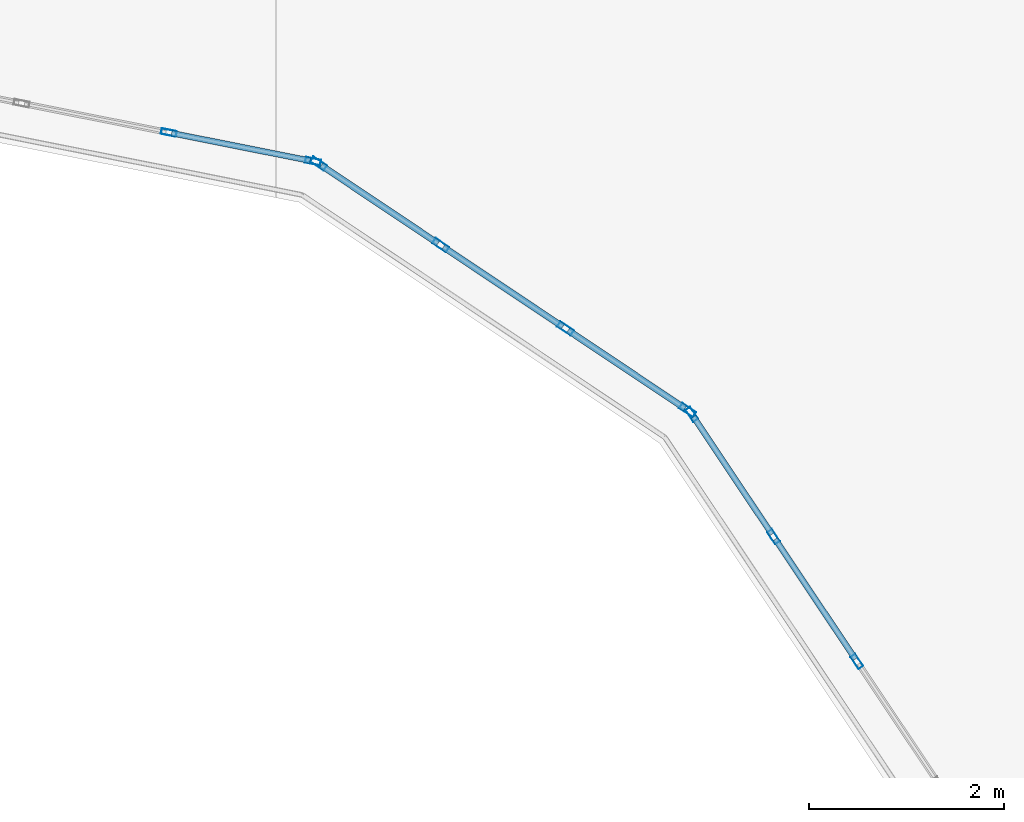
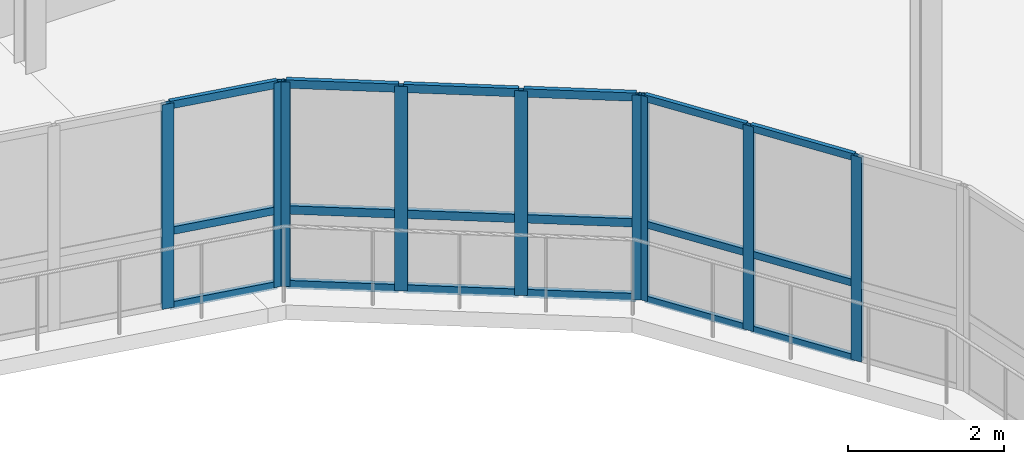
# One storey, part 24 of 91: 27 members, 3 elements without a shape of their own.
"""IFC4 building model written with IfcOpenShell, lengths in metres."""

from ifc_helpers import new_model, si_unit, direction, frame, origin, origin_2d, place, context, subcontext, project, spatial, hollow_rectangle, extrude, material, layer, layer_set, material_profile, profile_set, type_object, element, aggregate, save


model = new_model("IFC4")

# Units and contexts
model_context = context("Model", 3, precision=1e-05, world=origin(), true_north=direction((0.0, 1.0)))
body_context = subcontext(model_context, "Body", "Model", "MODEL_VIEW")
ifc_project = project(units=[si_unit("LENGTHUNIT", "METRE"), si_unit("AREAUNIT", "SQUARE_METRE"), si_unit("VOLUMEUNIT", "CUBIC_METRE"), si_unit("PLANEANGLEUNIT", "RADIAN"), si_unit("MASSUNIT", "GRAM", prefix="KILO"), si_unit("THERMODYNAMICTEMPERATUREUNIT", "KELVIN")], contexts=[model_context])

# Site, building, storey
site_placement = place(None, origin())
site = spatial("IfcSite", under=ifc_project, at=site_placement, CompositionType="ELEMENT")
building_placement = place(site_placement, origin())
building = spatial("IfcBuilding", under=site, at=building_placement, Name="Lustrewick Department Store", CompositionType="ELEMENT")
storey_placement = place(building_placement, frame((0.0, 0.0, 21.60009765625)))
storey = spatial("IfcBuildingStorey", under=building, at=storey_placement, Name="L05", CompositionType="ELEMENT", Elevation=21.60009765625)

# Curtain wall, members
ifc_material = material(Name="Thermally broken aluminium 6063-T5", Category="aluminium")
ifc_layer_1 = layer(ifc_material, 0.169921875, Name="Thermally broken aluminium 6063-T5")
ifc_layer_set_1 = layer_set([ifc_layer_1], Name="Thermally broken aluminium 6063-T5")
curtain_wall_type_1 = type_object("IfcCurtainWallType", Name="CW16", PredefinedType="NOTDEFINED", material=ifc_layer_set_1)
curtain_wall_1_placement = place(storey_placement, origin())
curtain_wall_1 = element("IfcCurtainWall", 1, at=curtain_wall_1_placement, inside=storey, type_object=curtain_wall_type_1, Name="L05 Atrium Glazed Screen CW16", PredefinedType="NOTDEFINED")
ifc_material_profile_1 = material_profile(ifc_material, hollow_rectangle(XDim=0.06494140625, YDim=0.169921875, WallThickness=0.00390625, at=origin_2d()), Name="ALU-M 65x170x4")
ifc_profile_set_1 = profile_set([ifc_material_profile_1], Name="Thermally broken aluminium 6063-T5")
member_type_1 = type_object("IfcMemberType", Name="CW16-M1", PredefinedType="MULLION", material=ifc_profile_set_1)
member_1_placement = place(storey_placement, frame((37.752197265625, 75.59716796875, 0.0), z_axis=(0.0, 0.0, 1.0), x_axis=(-0.555578313862, -0.831464212799, 0.0)))
member_1 = element("IfcMember", 2, at=member_1_placement, type_object=member_type_1, Name="CW16 mullion 1", PredefinedType="MULLION", context=body_context, shape_type="SweptSolid", body=[
    extrude(hollow_rectangle(XDim=0.06494140625, YDim=0.169921875, WallThickness=0.00390625, at=origin_2d()), origin(), (0.0, 0.0, 1.0), 3.199951171875),
])
member_2_placement = place(storey_placement, frame((36.497802734375, 76.435546875, 0.0), z_axis=(0.0, 0.0, 1.0), x_axis=(-0.555578313862, -0.831464212799, 0.0)))
member_2 = element("IfcMember", 3, at=member_2_placement, type_object=member_type_1, Name="CW16 mullion 2", PredefinedType="MULLION", context=body_context, shape_type="SweptSolid", body=[
    extrude(hollow_rectangle(XDim=0.06494140625, YDim=0.169921875, WallThickness=0.00390625, at=origin_2d()), origin(), (0.0, 0.0, 1.0), 3.199951171875),
])
member_3_placement = place(storey_placement, frame((35.21630859375, 77.291748046875, 0.0), z_axis=(0.0, 0.0, 1.0), x_axis=(-0.555578313862, -0.831464212799, 0.0)))
member_3 = element("IfcMember", 4, at=member_3_placement, type_object=member_type_1, Name="CW16 mullion 3", PredefinedType="MULLION", context=body_context, shape_type="SweptSolid", body=[
    extrude(hollow_rectangle(XDim=0.06494140625, YDim=0.169921875, WallThickness=0.00390625, at=origin_2d()), origin(), (0.0, 0.0, 1.0), 3.199951171875),
])
member_4_placement = place(storey_placement, frame((33.9619140625, 78.1298828125, 0.0), z_axis=(0.0, 0.0, 1.0), x_axis=(-0.555578313862, -0.831464212799, 0.0)))
member_4 = element("IfcMember", 5, at=member_4_placement, type_object=member_type_1, Name="CW16 mullion 4", PredefinedType="MULLION", context=body_context, shape_type="SweptSolid", body=[
    extrude(hollow_rectangle(XDim=0.06494140625, YDim=0.169921875, WallThickness=0.00390625, at=origin_2d()), origin(), (0.0, 0.0, 1.0), 3.199951171875),
])
ifc_material_profile_2 = material_profile(ifc_material, hollow_rectangle(XDim=0.06494140625, YDim=0.1298828125, WallThickness=0.00341796875, at=origin_2d()), Name="ALU-T 65x130x3.5")
ifc_profile_set_2 = profile_set([ifc_material_profile_2], Name="Thermally broken aluminium 6063-T5")
member_type_2 = type_object("IfcMemberType", Name="CW16-T1", PredefinedType="USERDEFINED", material=ifc_profile_set_2)
member_5_placement = place(storey_placement, frame((37.72509765625, 75.615234375, 0.032470703125), z_axis=(-0.831425427556, 0.555636354474, 0.0), x_axis=(-0.555636354474, -0.831425427556, 0.0)))
member_5 = element("IfcMember", 6, at=member_5_placement, type_object=member_type_2, Name="CW16 transom 1.1", ObjectType="TRANSOM", PredefinedType="USERDEFINED", context=body_context, shape_type="SweptSolid", body=[
    extrude(hollow_rectangle(XDim=0.06494140625, YDim=0.1298828125, WallThickness=0.00341796875, at=origin_2d()), origin(), (0.0, 0.0, 1.0), 1.44384765625),
])
member_6_placement = place(storey_placement, frame((37.72509765625, 75.615234375, 1.199951171875), z_axis=(-0.831425427556, 0.555636354474, 0.0), x_axis=(-0.555636354474, -0.831425427556, 0.0)))
member_6 = element("IfcMember", 7, at=member_6_placement, type_object=member_type_2, Name="CW16 transom 1.2", ObjectType="TRANSOM", PredefinedType="USERDEFINED", context=body_context, shape_type="SweptSolid", body=[
    extrude(hollow_rectangle(XDim=0.06494140625, YDim=0.1298828125, WallThickness=0.00341796875, at=origin_2d()), origin(), (0.0, 0.0, 1.0), 1.44384765625),
])
member_7_placement = place(storey_placement, frame((37.72509765625, 75.615234375, 3.16748046875), z_axis=(-0.831425427556, 0.555636354474, 0.0), x_axis=(-0.555636354474, -0.831425427556, 0.0)))
member_7 = element("IfcMember", 8, at=member_7_placement, type_object=member_type_2, Name="CW16 transom 1.3", ObjectType="TRANSOM", PredefinedType="USERDEFINED", context=body_context, shape_type="SweptSolid", body=[
    extrude(hollow_rectangle(XDim=0.06494140625, YDim=0.1298828125, WallThickness=0.00341796875, at=origin_2d()), origin(), (0.0, 0.0, 1.0), 1.44384765625),
])
member_8_placement = place(storey_placement, frame((36.470703125, 76.45361328125, 0.032470703125), z_axis=(-0.831464570536, 0.555577778482, 0.0), x_axis=(-0.555577778482, -0.831464570536, 0.0)))
member_8 = element("IfcMember", 9, at=member_8_placement, type_object=member_type_2, Name="CW16 transom 2.1", ObjectType="TRANSOM", PredefinedType="USERDEFINED", context=body_context, shape_type="SweptSolid", body=[
    extrude(hollow_rectangle(XDim=0.06494140625, YDim=0.1298828125, WallThickness=0.00341796875, at=origin_2d()), origin(), (0.0, 0.0, 1.0), 1.47607421875),
])
member_9_placement = place(storey_placement, frame((36.470703125, 76.45361328125, 1.199951171875), z_axis=(-0.831464570536, 0.555577778482, 0.0), x_axis=(-0.555577778482, -0.831464570536, 0.0)))
member_9 = element("IfcMember", 10, at=member_9_placement, type_object=member_type_2, Name="CW16 transom 2.2", ObjectType="TRANSOM", PredefinedType="USERDEFINED", context=body_context, shape_type="SweptSolid", body=[
    extrude(hollow_rectangle(XDim=0.06494140625, YDim=0.1298828125, WallThickness=0.00341796875, at=origin_2d()), origin(), (0.0, 0.0, 1.0), 1.47607421875),
])
member_10_placement = place(storey_placement, frame((36.470703125, 76.45361328125, 3.16748046875), z_axis=(-0.831464570536, 0.555577778482, 0.0), x_axis=(-0.555577778482, -0.831464570536, 0.0)))
member_10 = element("IfcMember", 11, at=member_10_placement, type_object=member_type_2, Name="CW16 transom 2.3", ObjectType="TRANSOM", PredefinedType="USERDEFINED", context=body_context, shape_type="SweptSolid", body=[
    extrude(hollow_rectangle(XDim=0.06494140625, YDim=0.1298828125, WallThickness=0.00341796875, at=origin_2d()), origin(), (0.0, 0.0, 1.0), 1.47607421875),
])
member_11_placement = place(storey_placement, frame((35.189208984375, 77.309814453125, 0.032470703125), z_axis=(-0.831503542147, 0.555519450062, 0.0), x_axis=(-0.555519450062, -0.831503542147, 0.0)))
member_11 = element("IfcMember", 12, at=member_11_placement, type_object=member_type_2, Name="CW16 transom 3.1", ObjectType="TRANSOM", PredefinedType="USERDEFINED", context=body_context, shape_type="SweptSolid", body=[
    extrude(hollow_rectangle(XDim=0.06494140625, YDim=0.1298828125, WallThickness=0.00341796875, at=origin_2d()), origin(), (0.0, 0.0, 1.0), 1.443603515625),
])
member_12_placement = place(storey_placement, frame((35.189208984375, 77.309814453125, 1.199951171875), z_axis=(-0.831503542147, 0.555519450062, 0.0), x_axis=(-0.555519450062, -0.831503542147, 0.0)))
member_12 = element("IfcMember", 13, at=member_12_placement, type_object=member_type_2, Name="CW16 transom 3.2", ObjectType="TRANSOM", PredefinedType="USERDEFINED", context=body_context, shape_type="SweptSolid", body=[
    extrude(hollow_rectangle(XDim=0.06494140625, YDim=0.1298828125, WallThickness=0.00341796875, at=origin_2d()), origin(), (0.0, 0.0, 1.0), 1.443603515625),
])
member_13_placement = place(storey_placement, frame((35.189208984375, 77.309814453125, 3.16748046875), z_axis=(-0.831503542147, 0.555519450062, 0.0), x_axis=(-0.555519450062, -0.831503542147, 0.0)))
member_13 = element("IfcMember", 14, at=member_13_placement, type_object=member_type_2, Name="CW16 transom 3.3", ObjectType="TRANSOM", PredefinedType="USERDEFINED", context=body_context, shape_type="SweptSolid", body=[
    extrude(hollow_rectangle(XDim=0.06494140625, YDim=0.1298828125, WallThickness=0.00341796875, at=origin_2d()), origin(), (0.0, 0.0, 1.0), 1.443603515625),
])
aggregate(curtain_wall_1, [member_1, member_2, member_3, member_4, member_5, member_6, member_7, member_8, member_9, member_10, member_11, member_12, member_13])

ifc_layer_2 = layer(ifc_material, 0.159912109375, Name="Thermally broken aluminium 6063-T5")
ifc_layer_set_2 = layer_set([ifc_layer_2], Name="Thermally broken aluminium 6063-T5")
curtain_wall_type_2 = type_object("IfcCurtainWallType", Name="CW17", PredefinedType="NOTDEFINED", material=ifc_layer_set_2)
curtain_wall_2_placement = place(storey_placement, origin())
curtain_wall_2 = element("IfcCurtainWall", 15, at=curtain_wall_2_placement, inside=storey, type_object=curtain_wall_type_2, Name="L05 Atrium Glazed Screen CW17", PredefinedType="NOTDEFINED")
ifc_material_profile_3 = material_profile(ifc_material, hollow_rectangle(XDim=0.06005859375, YDim=0.159912109375, WallThickness=0.00390625, at=origin_2d()), Name="ALU-M 60x160x4")
ifc_profile_set_3 = profile_set([ifc_material_profile_3], Name="Thermally broken aluminium 6063-T5")
member_type_3 = type_object("IfcMemberType", Name="CW17-M1", PredefinedType="MULLION", material=ifc_profile_set_3)
member_14_placement = place(storey_placement, frame((33.9052734375, 78.15380859375, 0.0), z_axis=(0.0, 0.0, 1.0), x_axis=(-0.195084537521, -0.980786430993, 0.0)))
member_14 = element("IfcMember", 16, at=member_14_placement, type_object=member_type_3, Name="CW17 mullion 1", PredefinedType="MULLION", context=body_context, shape_type="SweptSolid", body=[
    extrude(hollow_rectangle(XDim=0.06005859375, YDim=0.159912109375, WallThickness=0.00390625, at=origin_2d()), origin(), (0.0, 0.0, 1.0), 3.199951171875),
])
member_15_placement = place(storey_placement, frame((32.423095703125, 78.44873046875, 0.0), z_axis=(0.0, 0.0, 1.0), x_axis=(-0.195084537521, -0.980786430993, 0.0)))
member_15 = element("IfcMember", 17, at=member_15_placement, type_object=member_type_3, Name="CW17 mullion 2", PredefinedType="MULLION", context=body_context, shape_type="SweptSolid", body=[
    extrude(hollow_rectangle(XDim=0.06005859375, YDim=0.159912109375, WallThickness=0.00390625, at=origin_2d()), origin(), (0.0, 0.0, 1.0), 3.199951171875),
])
ifc_material_profile_4 = material_profile(ifc_material, hollow_rectangle(XDim=0.06005859375, YDim=0.1201171875, WallThickness=0.00341796875, at=origin_2d()), Name="ALU-T 60x120x3.5")
ifc_profile_set_4 = profile_set([ifc_material_profile_4], Name="Thermally broken aluminium 6063-T5")
member_type_4 = type_object("IfcMemberType", Name="CW17-T1", PredefinedType="USERDEFINED", material=ifc_profile_set_4)
member_16_placement = place(storey_placement, frame((33.8759765625, 78.15966796875, 0.02978515625), z_axis=(-0.980774305612, 0.195145487909, 0.0), x_axis=(-0.195145487909, -0.980774305612, 0.0)))
member_16 = element("IfcMember", 18, at=member_16_placement, type_object=member_type_4, Name="CW17 transom 1.1", ObjectType="TRANSOM", PredefinedType="USERDEFINED", context=body_context, shape_type="SweptSolid", body=[
    extrude(hollow_rectangle(XDim=0.06005859375, YDim=0.1201171875, WallThickness=0.00341796875, at=origin_2d()), origin(), (0.0, 0.0, 1.0), 1.451171875),
])
member_17_placement = place(storey_placement, frame((33.8759765625, 78.15966796875, 1.199951171875), z_axis=(-0.980774305612, 0.195145487909, 0.0), x_axis=(-0.195145487909, -0.980774305612, 0.0)))
member_17 = element("IfcMember", 19, at=member_17_placement, type_object=member_type_4, Name="CW17 transom 1.2", ObjectType="TRANSOM", PredefinedType="USERDEFINED", context=body_context, shape_type="SweptSolid", body=[
    extrude(hollow_rectangle(XDim=0.06005859375, YDim=0.1201171875, WallThickness=0.00341796875, at=origin_2d()), origin(), (0.0, 0.0, 1.0), 1.451171875),
])
member_18_placement = place(storey_placement, frame((33.8759765625, 78.15966796875, 3.169921875), z_axis=(-0.980774305612, 0.195145487909, 0.0), x_axis=(-0.195145487909, -0.980774305612, 0.0)))
member_18 = element("IfcMember", 20, at=member_18_placement, type_object=member_type_4, Name="CW17 transom 1.3", ObjectType="TRANSOM", PredefinedType="USERDEFINED", context=body_context, shape_type="SweptSolid", body=[
    extrude(hollow_rectangle(XDim=0.06005859375, YDim=0.1201171875, WallThickness=0.00341796875, at=origin_2d()), origin(), (0.0, 0.0, 1.0), 1.451171875),
])
aggregate(curtain_wall_2, [member_14, member_15, member_16, member_17, member_18])

ifc_layer_3 = layer(ifc_material, 0.14990234375, Name="Thermally broken aluminium 6063-T5")
ifc_layer_set_3 = layer_set([ifc_layer_3], Name="Thermally broken aluminium 6063-T5")
curtain_wall_type_3 = type_object("IfcCurtainWallType", Name="CW18", PredefinedType="NOTDEFINED", material=ifc_layer_set_3)
curtain_wall_3_placement = place(storey_placement, origin())
curtain_wall_3 = element("IfcCurtainWall", 21, at=curtain_wall_3_placement, inside=storey, type_object=curtain_wall_type_3, Name="L05 Atrium Glazed Screen CW18", PredefinedType="NOTDEFINED")
ifc_material_profile_5 = material_profile(ifc_material, hollow_rectangle(XDim=0.06005859375, YDim=0.14990234375, WallThickness=0.00341796875, at=origin_2d()), Name="ALU-M 60x150x3.5")
ifc_profile_set_5 = profile_set([ifc_material_profile_5], Name="Thermally broken aluminium 6063-T5")
member_type_5 = type_object("IfcMemberType", Name="CW18-M1", PredefinedType="MULLION", material=ifc_profile_set_5)
member_19_placement = place(storey_placement, frame((39.49169921875, 73.016357421875, 0.0), z_axis=(0.0, 0.0, 1.0), x_axis=(-0.831464212799, -0.555578313862, 0.0)))
member_19 = element("IfcMember", 22, at=member_19_placement, type_object=member_type_5, Name="CW18 mullion 2", PredefinedType="MULLION", context=body_context, shape_type="SweptSolid", body=[
    extrude(hollow_rectangle(XDim=0.06005859375, YDim=0.14990234375, WallThickness=0.00341796875, at=origin_2d()), origin(), (0.0, 0.0, 1.0), 3.199951171875),
])
member_20_placement = place(storey_placement, frame((38.635498046875, 74.2978515625, 0.0), z_axis=(0.0, 0.0, 1.0), x_axis=(-0.831464212799, -0.555578313862, 0.0)))
member_20 = element("IfcMember", 23, at=member_20_placement, type_object=member_type_5, Name="CW18 mullion 3", PredefinedType="MULLION", context=body_context, shape_type="SweptSolid", body=[
    extrude(hollow_rectangle(XDim=0.06005859375, YDim=0.14990234375, WallThickness=0.00341796875, at=origin_2d()), origin(), (0.0, 0.0, 1.0), 3.199951171875),
])
member_21_placement = place(storey_placement, frame((37.7958984375, 75.55419921875, 0.0), z_axis=(0.0, 0.0, 1.0), x_axis=(-0.831464212799, -0.555578313862, 0.0)))
member_21 = element("IfcMember", 24, at=member_21_placement, type_object=member_type_5, Name="CW18 mullion 4", PredefinedType="MULLION", context=body_context, shape_type="SweptSolid", body=[
    extrude(hollow_rectangle(XDim=0.06005859375, YDim=0.14990234375, WallThickness=0.00341796875, at=origin_2d()), origin(), (0.0, 0.0, 1.0), 3.199951171875),
])
ifc_material_profile_6 = material_profile(ifc_material, hollow_rectangle(XDim=0.06005859375, YDim=0.110107421875, WallThickness=0.0029296875, at=origin_2d()), Name="ALU-T 60x110x3")
ifc_profile_set_6 = profile_set([ifc_material_profile_6], Name="Thermally broken aluminium 6063-T5")
member_type_6 = type_object("IfcMemberType", Name="CW18-T1", PredefinedType="USERDEFINED", material=ifc_profile_set_6)
member_22_placement = place(storey_placement, frame((39.47509765625, 73.041259765625, 0.02978515625), z_axis=(-0.555650791413, 0.83141577926, 0.0), x_axis=(-0.83141577926, -0.555650791413, 0.0)))
member_22 = element("IfcMember", 25, at=member_22_placement, type_object=member_type_6, Name="CW18 transom 2.1", ObjectType="TRANSOM", PredefinedType="USERDEFINED", context=body_context, shape_type="SweptSolid", body=[
    extrude(hollow_rectangle(XDim=0.06005859375, YDim=0.110107421875, WallThickness=0.0029296875, at=origin_2d()), origin(), (0.0, 0.0, 1.0), 1.481201171875),
])
member_23_placement = place(storey_placement, frame((39.47509765625, 73.041259765625, 1.199951171875), z_axis=(-0.555650791413, 0.83141577926, 0.0), x_axis=(-0.83141577926, -0.555650791413, 0.0)))
member_23 = element("IfcMember", 26, at=member_23_placement, type_object=member_type_6, Name="CW18 transom 2.2", ObjectType="TRANSOM", PredefinedType="USERDEFINED", context=body_context, shape_type="SweptSolid", body=[
    extrude(hollow_rectangle(XDim=0.06005859375, YDim=0.110107421875, WallThickness=0.0029296875, at=origin_2d()), origin(), (0.0, 0.0, 1.0), 1.481201171875),
])
member_24_placement = place(storey_placement, frame((39.47509765625, 73.041259765625, 3.169921875), z_axis=(-0.555650791413, 0.83141577926, 0.0), x_axis=(-0.83141577926, -0.555650791413, 0.0)))
member_24 = element("IfcMember", 27, at=member_24_placement, type_object=member_type_6, Name="CW18 transom 2.3", ObjectType="TRANSOM", PredefinedType="USERDEFINED", context=body_context, shape_type="SweptSolid", body=[
    extrude(hollow_rectangle(XDim=0.06005859375, YDim=0.110107421875, WallThickness=0.0029296875, at=origin_2d()), origin(), (0.0, 0.0, 1.0), 1.481201171875),
])
member_25_placement = place(storey_placement, frame((38.618896484375, 74.32275390625, 0.02978515625), z_axis=(-0.555670388234, 0.831402682002, 0.0), x_axis=(-0.831402682002, -0.555670388234, 0.0)))
member_25 = element("IfcMember", 28, at=member_25_placement, type_object=member_type_6, Name="CW18 transom 3.1", ObjectType="TRANSOM", PredefinedType="USERDEFINED", context=body_context, shape_type="SweptSolid", body=[
    extrude(hollow_rectangle(XDim=0.06005859375, YDim=0.110107421875, WallThickness=0.0029296875, at=origin_2d()), origin(), (0.0, 0.0, 1.0), 1.451171875),
])
member_26_placement = place(storey_placement, frame((38.618896484375, 74.32275390625, 1.199951171875), z_axis=(-0.555670388234, 0.831402682002, 0.0), x_axis=(-0.831402682002, -0.555670388234, 0.0)))
member_26 = element("IfcMember", 29, at=member_26_placement, type_object=member_type_6, Name="CW18 transom 3.2", ObjectType="TRANSOM", PredefinedType="USERDEFINED", context=body_context, shape_type="SweptSolid", body=[
    extrude(hollow_rectangle(XDim=0.06005859375, YDim=0.110107421875, WallThickness=0.0029296875, at=origin_2d()), origin(), (0.0, 0.0, 1.0), 1.451171875),
])
member_27_placement = place(storey_placement, frame((38.618896484375, 74.32275390625, 3.169921875), z_axis=(-0.555670388234, 0.831402682002, 0.0), x_axis=(-0.831402682002, -0.555670388234, 0.0)))
member_27 = element("IfcMember", 30, at=member_27_placement, type_object=member_type_6, Name="CW18 transom 3.3", ObjectType="TRANSOM", PredefinedType="USERDEFINED", context=body_context, shape_type="SweptSolid", body=[
    extrude(hollow_rectangle(XDim=0.06005859375, YDim=0.110107421875, WallThickness=0.0029296875, at=origin_2d()), origin(), (0.0, 0.0, 1.0), 1.451171875),
])
aggregate(curtain_wall_3, [member_19, member_20, member_21, member_22, member_23, member_24, member_25, member_26, member_27])

save(model, "model.ifc")
